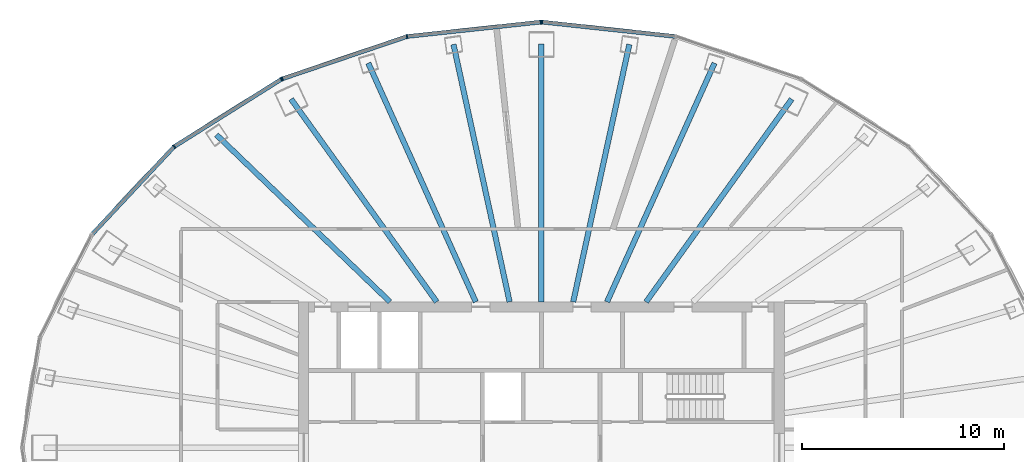
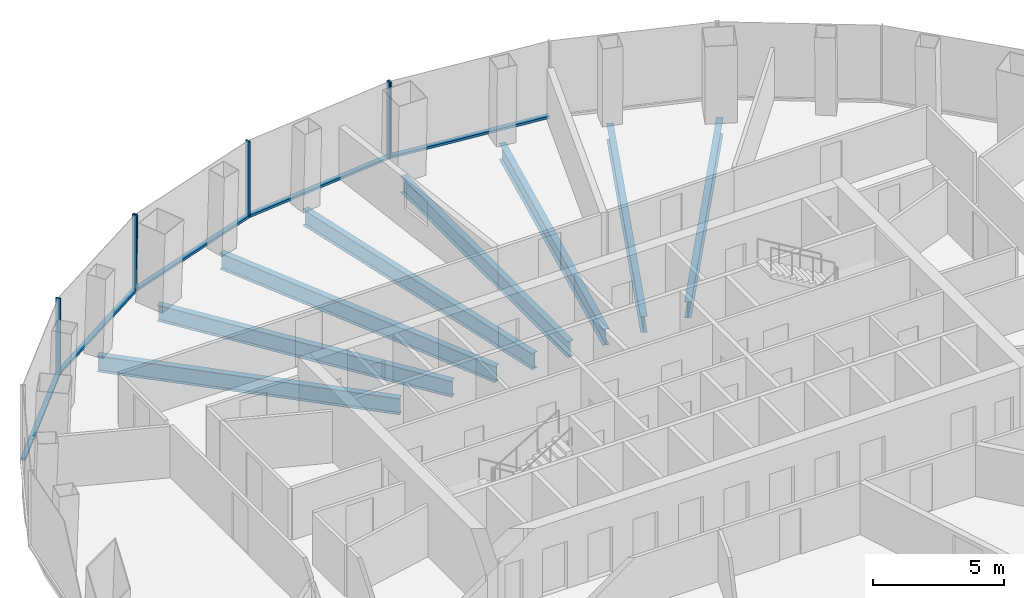
# One storey, part 5 of 12: 11 members, 8 beams, 3 elements without a shape of their own.
"""IFC4 building model written with IfcOpenShell, lengths in metres."""

from ifc_helpers import new_model, si_unit, direction, frame, origin, origin_2d, place, context, subcontext, project, spatial, rectangle, i_section, extrude, material, layer, layer_set, material_profile, profile_set, type_object, element, aggregate, save


model = new_model("IFC4")

# Units and contexts
model_context = context("Model", 3, precision=1e-05, world=origin(), true_north=direction((0.0, 1.0)))
body_context = subcontext(model_context, "Body", "Model", "MODEL_VIEW")
ifc_project = project(units=[si_unit("LENGTHUNIT", "METRE"), si_unit("AREAUNIT", "SQUARE_METRE"), si_unit("VOLUMEUNIT", "CUBIC_METRE"), si_unit("PLANEANGLEUNIT", "RADIAN"), si_unit("MASSUNIT", "GRAM", prefix="KILO")], contexts=[model_context])

# Site, building, storey
site_placement = place(None, origin())
site = spatial("IfcSite", under=ifc_project, at=site_placement, CompositionType="ELEMENT")
building_placement = place(site_placement, origin())
building = spatial("IfcBuilding", under=site, at=building_placement, Name="Siaravel Broadcast Tower", CompositionType="ELEMENT")
storey_placement = place(building_placement, frame((0.0, 0.0, 111.89990234375)))
storey = spatial("IfcBuildingStorey", under=building, at=storey_placement, Name="L26", CompositionType="ELEMENT", Elevation=111.89990234375)

# Beams
ifc_material_1 = material(Name="Steel S355", Category="steel")
ifc_material_profile_1 = material_profile(ifc_material_1, i_section(OverallWidth=0.26513671875, OverallDepth=0.75390625, WebThickness=0.0126953125, FlangeThickness=0.017578125, FilletRadius=0.0166015625, at=origin_2d()))
ifc_profile_set_1 = profile_set([ifc_material_profile_1], Name="Steel S355")
beam_type = type_object("IfcBeamType", Name="BM-UB 762x267x147", PredefinedType="BEAM", material=ifc_profile_set_1)
beam_1_placement = place(storey_placement, frame((12.364501953125, 17.214599609375, -0.52685546875), z_axis=(-0.583373273, -0.812204177, 0.0), x_axis=(0.812204177, -0.583373273, 0.0)))
element("IfcBeam", 1, at=beam_1_placement, inside=storey, type_object=beam_type, Name="Radial beam RB07", PredefinedType="BEAM", context=body_context, shape_type="SweptSolid", body=[
    extrude(i_section(OverallWidth=0.26513671875, OverallDepth=0.75390625, WebThickness=0.0126953125, FlangeThickness=0.017578125, FilletRadius=0.0166015625, at=origin_2d()), origin(), (0.0, 0.0, 1.0), 12.330322265625),
])
beam_2_placement = place(storey_placement, frame((8.55078125, 18.991455078125, -0.52685546875), z_axis=(-0.4105515, -0.911837412, 0.0), x_axis=(0.911837412, -0.4105515, 0.0)))
element("IfcBeam", 2, at=beam_2_placement, inside=storey, type_object=beam_type, Name="Radial beam RB08", PredefinedType="BEAM", context=body_context, shape_type="SweptSolid", body=[
    extrude(i_section(OverallWidth=0.26513671875, OverallDepth=0.75390625, WebThickness=0.0126953125, FlangeThickness=0.017578125, FilletRadius=0.0166015625, at=origin_2d()), origin(), (0.0, 0.0, 1.0), 12.931640625),
])
beam_3_placement = place(storey_placement, frame((4.343017578125, 19.914794921875, -0.52685546875), z_axis=(-0.213061255, -0.977038844, 0.0), x_axis=(0.977038844, -0.213061255, 0.0)))
element("IfcBeam", 3, at=beam_3_placement, inside=storey, type_object=beam_type, Name="Radial beam RB09", PredefinedType="BEAM", context=body_context, shape_type="SweptSolid", body=[
    extrude(i_section(OverallWidth=0.26513671875, OverallDepth=0.75390625, WebThickness=0.0126953125, FlangeThickness=0.017578125, FilletRadius=0.0166015625, at=origin_2d()), origin(), (0.0, 0.0, 1.0), 13.013671875),
])
beam_4_placement = place(storey_placement, frame((0.0, 19.926025390625, -0.52685546875), z_axis=(0.0, -1.0, 0.0), x_axis=(1.0, 0.0, 0.0)))
element("IfcBeam", 4, at=beam_4_placement, inside=storey, type_object=beam_type, Name="Radial beam RB10", PredefinedType="BEAM", context=body_context, shape_type="SweptSolid", body=[
    extrude(i_section(OverallWidth=0.26513671875, OverallDepth=0.75390625, WebThickness=0.0126953125, FlangeThickness=0.017578125, FilletRadius=0.0166015625, at=origin_2d()), origin(), (0.0, 0.0, 1.0), 12.72607421875),
])
beam_5_placement = place(storey_placement, frame((-4.343017578125, 19.914794921875, -0.52685546875), z_axis=(0.213061255, -0.977038844, 0.0), x_axis=(0.977038844, 0.213061255, 0.0)))
element("IfcBeam", 5, at=beam_5_placement, inside=storey, type_object=beam_type, Name="Radial beam RB11", PredefinedType="BEAM", context=body_context, shape_type="SweptSolid", body=[
    extrude(i_section(OverallWidth=0.26513671875, OverallDepth=0.75390625, WebThickness=0.0126953125, FlangeThickness=0.017578125, FilletRadius=0.0166015625, at=origin_2d()), origin(), (0.0, 0.0, 1.0), 13.013671875),
])
beam_6_placement = place(storey_placement, frame((-8.55078125, 18.991455078125, -0.52685546875), z_axis=(0.4105515, -0.911837412, 0.0), x_axis=(0.911837412, 0.4105515, 0.0)))
element("IfcBeam", 6, at=beam_6_placement, inside=storey, type_object=beam_type, Name="Radial beam RB12", PredefinedType="BEAM", context=body_context, shape_type="SweptSolid", body=[
    extrude(i_section(OverallWidth=0.26513671875, OverallDepth=0.75390625, WebThickness=0.0126953125, FlangeThickness=0.017578125, FilletRadius=0.0166015625, at=origin_2d()), origin(), (0.0, 0.0, 1.0), 12.931640625),
])
beam_7_placement = place(storey_placement, frame((-12.364501953125, 17.214599609375, -0.52685546875), z_axis=(0.583373273, -0.812204177, 0.0), x_axis=(0.812204177, 0.583373273, 0.0)))
element("IfcBeam", 7, at=beam_7_placement, inside=storey, type_object=beam_type, Name="Radial beam RB13", PredefinedType="BEAM", context=body_context, shape_type="SweptSolid", body=[
    extrude(i_section(OverallWidth=0.26513671875, OverallDepth=0.75390625, WebThickness=0.0126953125, FlangeThickness=0.017578125, FilletRadius=0.0166015625, at=origin_2d()), origin(), (0.0, 0.0, 1.0), 12.330322265625),
])
beam_8_placement = place(storey_placement, frame((-16.046875, 15.447509765625, -0.52685546875), z_axis=(0.720435694, -0.693521745, 0.0), x_axis=(0.693521745, 0.720435694, 0.0)))
element("IfcBeam", 8, at=beam_8_placement, inside=storey, type_object=beam_type, Name="Radial beam RB14", PredefinedType="BEAM", context=body_context, shape_type="SweptSolid", body=[
    extrude(i_section(OverallWidth=0.26513671875, OverallDepth=0.75390625, WebThickness=0.0126953125, FlangeThickness=0.017578125, FilletRadius=0.0166015625, at=origin_2d()), origin(), (0.0, 0.0, 1.0), 11.892333984375),
])

# Curtain wall, member
ifc_material_2 = material(Name="Aluminium 6063-T6", Category="aluminium")
ifc_layer = layer(ifc_material_2, 0.199951171875)
ifc_layer_set = layer_set([ifc_layer], Name="Aluminium 6063-T6")
curtain_wall_type = type_object("IfcCurtainWallType", Name="Unitised curtain wall, zone 2", PredefinedType="NOTDEFINED", material=ifc_layer_set)
curtain_wall_1_placement = place(storey_placement, origin())
curtain_wall_1 = element("IfcCurtainWall", 9, at=curtain_wall_1_placement, inside=storey, type_object=curtain_wall_type, Name="L26 Unitised curtain wall, zone 2 03", PredefinedType="NOTDEFINED")
ifc_material_profile_2 = material_profile(ifc_material_2, rectangle(XDim=0.199951171875, YDim=0.06494140625, at=origin_2d()))
ifc_profile_set_2 = profile_set([ifc_material_profile_2], Name="Aluminium 6063-T6")
member_type_1 = type_object("IfcMemberType", Name="CW-Z2 mullion", PredefinedType="MULLION", material=ifc_profile_set_2)
member_1_placement = place(storey_placement, frame((0.0322265625, 21.02001953125, 0.0), z_axis=(0.0, 0.0, 1.0), x_axis=(-0.107217456, -0.994235594, 0.0)))
member_1 = element("IfcMember", 10, at=member_1_placement, type_object=member_type_1, Name="CW-Z2 mullion 3", PredefinedType="MULLION", context=body_context, shape_type="SweptSolid", body=[
    extrude(rectangle(XDim=0.199951171875, YDim=0.06494140625, at=origin_2d()), origin(), (0.0, 0.0, 1.0), 3.550048828125),
])

# Curtain wall, members
curtain_wall_2_placement = place(storey_placement, origin())
curtain_wall_2 = element("IfcCurtainWall", 11, at=curtain_wall_2_placement, inside=storey, type_object=curtain_wall_type, Name="L26 Unitised curtain wall, zone 2 04", PredefinedType="NOTDEFINED")
member_2_placement = place(storey_placement, frame((-0.0322265625, 21.02001953125, 0.0), z_axis=(0.0, 0.0, 1.0), x_axis=(0.107217456, -0.994235594, 0.0)))
member_2 = element("IfcMember", 12, at=member_2_placement, type_object=member_type_1, Name="CW-Z2 mullion 1", PredefinedType="MULLION", context=body_context, shape_type="SweptSolid", body=[
    extrude(rectangle(XDim=0.199951171875, YDim=0.06494140625, at=origin_2d()), origin(), (0.0, 0.0, 1.0), 3.550048828125),
])
member_3_placement = place(storey_placement, frame((-6.637939453125, 20.307861328125, 0.0), z_axis=(0.0, 0.0, 1.0), x_axis=(0.215557996, -0.97649104, 0.0)))
member_3 = element("IfcMember", 13, at=member_3_placement, type_object=member_type_1, Name="CW-Z2 mullion 2", PredefinedType="MULLION", context=body_context, shape_type="SweptSolid", body=[
    extrude(rectangle(XDim=0.199951171875, YDim=0.06494140625, at=origin_2d()), origin(), (0.0, 0.0, 1.0), 3.550048828125),
])
member_4_placement = place(storey_placement, frame((-12.793212890625, 18.21923828125, 0.0), z_axis=(0.0, 0.0, 1.0), x_axis=(0.321300513, -0.946977286, 0.0)))
member_4 = element("IfcMember", 14, at=member_4_placement, type_object=member_type_1, Name="CW-Z2 mullion 3", PredefinedType="MULLION", context=body_context, shape_type="SweptSolid", body=[
    extrude(rectangle(XDim=0.199951171875, YDim=0.06494140625, at=origin_2d()), origin(), (0.0, 0.0, 1.0), 3.550048828125),
])

curtain_wall_3_placement = place(storey_placement, origin())
curtain_wall_3 = element("IfcCurtainWall", 15, at=curtain_wall_3_placement, inside=storey, type_object=curtain_wall_type, Name="L26 Unitised curtain wall, zone 2 05", PredefinedType="NOTDEFINED")
member_5_placement = place(storey_placement, frame((-12.8515625, 18.191650390625, 0.0), z_axis=(0.0, 0.0, 1.0), x_axis=(0.532149019, -0.846650708, 0.0)))
member_5 = element("IfcMember", 16, at=member_5_placement, type_object=member_type_1, Name="CW-Z2 mullion 1", PredefinedType="MULLION", context=body_context, shape_type="SweptSolid", body=[
    extrude(rectangle(XDim=0.199951171875, YDim=0.06494140625, at=origin_2d()), origin(), (0.0, 0.0, 1.0), 3.550048828125),
])
member_6_placement = place(storey_placement, frame((-18.137451171875, 14.869384765625, 0.0), z_axis=(0.0, 0.0, 1.0), x_axis=(0.63621839, -0.771509015, 0.0)))
member_6 = element("IfcMember", 17, at=member_6_placement, type_object=member_type_1, Name="CW-Z2 mullion 2", PredefinedType="MULLION", context=body_context, shape_type="SweptSolid", body=[
    extrude(rectangle(XDim=0.199951171875, YDim=0.06494140625, at=origin_2d()), origin(), (0.0, 0.0, 1.0), 3.550048828125),
])

# Member
ifc_material_profile_3 = material_profile(ifc_material_2, rectangle(XDim=0.199951171875, YDim=0.110107421875, at=origin_2d()))
ifc_profile_set_3 = profile_set([ifc_material_profile_3], Name="Aluminium 6063-T6")
member_type_2 = type_object("IfcMemberType", Name="CW-Z2 transom", PredefinedType="USERDEFINED", material=ifc_profile_set_3)
member_7_placement = place(storey_placement, frame((6.60546875, 20.311279296875, 0.05517578125), z_axis=(-0.994236057, 0.107213167, 0.0), x_axis=(-0.107213167, -0.994236057, 0.0)))
member_7 = element("IfcMember", 18, at=member_7_placement, type_object=member_type_2, Name="CW-Z2 transom 2", ObjectType="TRANSOM", PredefinedType="USERDEFINED", context=body_context, shape_type="SweptSolid", body=[
    extrude(rectangle(XDim=0.199951171875, YDim=0.110107421875, at=origin_2d()), origin(), (0.0, 0.0, 1.0), 6.57861328125),
])

aggregate(curtain_wall_1, [member_1, member_7])

member_8_placement = place(storey_placement, frame((-0.064697265625, 21.0166015625, 0.05517578125), z_axis=(-0.994236057, -0.107213167, 0.0), x_axis=(0.107213167, -0.994236057, 0.0)))
member_8 = element("IfcMember", 19, at=member_8_placement, type_object=member_type_2, Name="CW-Z2 transom 1", ObjectType="TRANSOM", PredefinedType="USERDEFINED", context=body_context, shape_type="SweptSolid", body=[
    extrude(rectangle(XDim=0.199951171875, YDim=0.110107421875, at=origin_2d()), origin(), (0.0, 0.0, 1.0), 6.57861328125),
])

member_9_placement = place(storey_placement, frame((-6.668701171875, 20.29736328125, 0.05517578125), z_axis=(-0.946973753, -0.321310926, 0.0), x_axis=(0.321310926, -0.946973753, 0.0)))
member_9 = element("IfcMember", 20, at=member_9_placement, type_object=member_type_2, Name="CW-Z2 transom 2", ObjectType="TRANSOM", PredefinedType="USERDEFINED", context=body_context, shape_type="SweptSolid", body=[
    extrude(rectangle(XDim=0.199951171875, YDim=0.110107421875, at=origin_2d()), origin(), (0.0, 0.0, 1.0), 6.43505859375),
])

aggregate(curtain_wall_2, [member_2, member_3, member_4, member_8, member_9])

member_10_placement = place(storey_placement, frame((-12.879150390625, 18.17431640625, 0.05517578125), z_axis=(-0.846639093, -0.532167499, 0.0), x_axis=(0.532167499, -0.846639093, 0.0)))
member_10 = element("IfcMember", 21, at=member_10_placement, type_object=member_type_2, Name="CW-Z2 transom 1", ObjectType="TRANSOM", PredefinedType="USERDEFINED", context=body_context, shape_type="SweptSolid", body=[
    extrude(rectangle(XDim=0.199951171875, YDim=0.110107421875, at=origin_2d()), origin(), (0.0, 0.0, 1.0), 6.17822265625),
])

member_11_placement = place(storey_placement, frame((-18.15966796875, 14.845458984375, 0.05517578125), z_axis=(-0.683660134, -0.729800536, 0.0), x_axis=(0.729800536, -0.683660134, 0.0)))
member_11 = element("IfcMember", 22, at=member_11_placement, type_object=member_type_2, Name="CW-Z2 transom 2", ObjectType="TRANSOM", PredefinedType="USERDEFINED", context=body_context, shape_type="SweptSolid", body=[
    extrude(rectangle(XDim=0.199951171875, YDim=0.110107421875, at=origin_2d()), origin(), (0.0, 0.0, 1.0), 5.867919921875),
])

aggregate(curtain_wall_3, [member_5, member_6, member_10, member_11])

save(model, "model.ifc")
